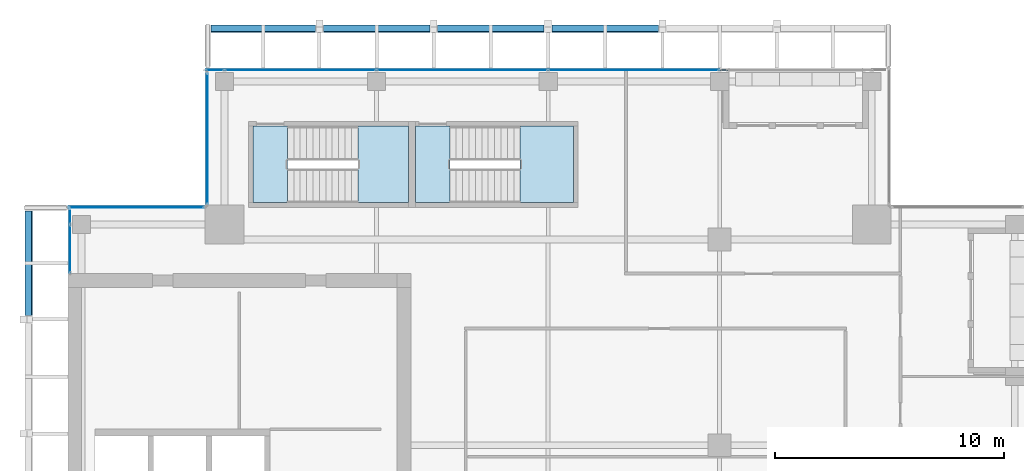
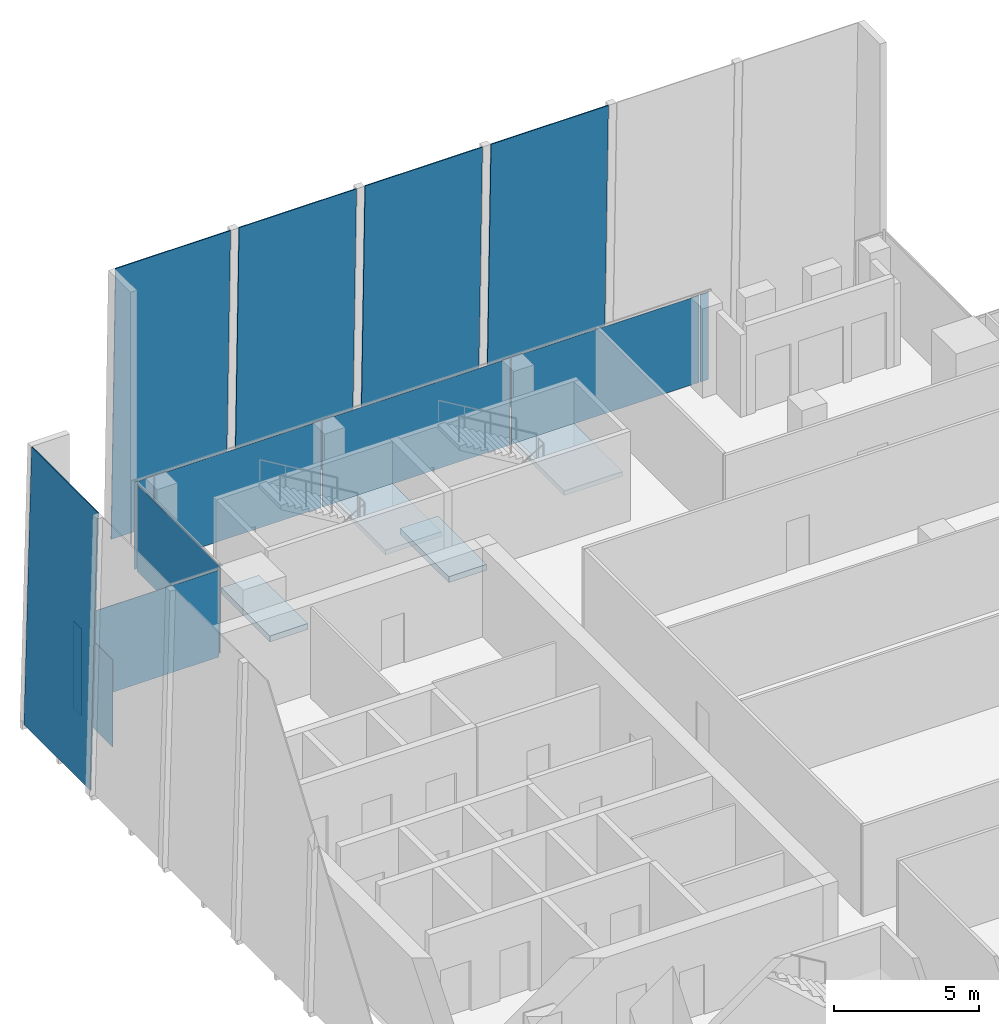
# One storey, part 24 of 32: 14 plates, 4 slabs, 6 elements without a shape of their own.
"""IFC4 building model written with IfcOpenShell, lengths in metres."""

import ifcopenshell
import ifcopenshell.guid

model = None  # the IFC model being written
_history = None  # IfcOwnerHistory: only IFC2X3 demands one
_inside = {}  # id of a spatial element -> (the spatial element, [elements in it])
_under = {}  # id of a project, library or spatial element -> (it, [spatial elements below it])
_declared = {}  # id of a project -> (the project, [libraries it declares])
_typed = {}  # id of a type object -> (the type object, [elements of that type])
_made_of = {}  # id of a material, layer set ... -> (it, [elements and type objects made of it])


def new_model(schema):
    """Start an empty IFC model of exactly this schema.

    Asked for "IFC4X3", IfcOpenShell would pick the latest addendum, in which some entities
    have other attributes; the version numbers below select the first issue.
    IFC2X3 requires an IfcOwnerHistory on every rooted entity: one is made here for all.
    """
    global model, _history
    if schema == "IFC4X3":
        model = ifcopenshell.file(schema_version=(4, 3, 0, 0))
    else:
        model = ifcopenshell.file(schema=schema)
    _inside.clear()
    _under.clear()
    _declared.clear()
    _typed.clear()
    _made_of.clear()
    _history = None
    if model.schema == "IFC2X3":
        org = make("IfcOrganization", Name="unknown")
        user = make(
            "IfcPersonAndOrganization",
            ThePerson=make("IfcPerson", FamilyName="unknown"),
            TheOrganization=org,
        )
        app = make(
            "IfcApplication",
            ApplicationDeveloper=org,
            Version="unknown",
            ApplicationFullName="unknown",
            ApplicationIdentifier="unknown",
        )
        _history = make(
            "IfcOwnerHistory",
            OwningUser=user,
            OwningApplication=app,
            ChangeAction="ADDED",
            CreationDate=0,
        )
    return model


def make(cls, **values):
    """One entity of the class cls with the attributes given. An attribute that is None is left unset."""
    return model.create_entity(
        cls, **{name: value for name, value in values.items() if value is not None}
    )


def rooted(cls, **values):
    """An entity with a GlobalId (a new one), such as an element, a storey or a relation."""
    return make(cls, GlobalId=ifcopenshell.guid.new(), OwnerHistory=_history, **values)


def si_unit(unit_type, name, prefix=None):
    """IfcSIUnit, for example si_unit("LENGTHUNIT", "METRE", prefix="MILLI")."""
    return make("IfcSIUnit", UnitType=unit_type, Prefix=prefix, Name=name)


def assignment(units):
    """IfcUnitAssignment: the units of a project."""
    return None if units is None else make("IfcUnitAssignment", Units=units)


def point(xyz):
    """IfcCartesianPoint."""
    return None if xyz is None else make("IfcCartesianPoint", Coordinates=xyz)


def direction(xyz):
    """IfcDirection."""
    return None if xyz is None else make("IfcDirection", DirectionRatios=xyz)


def frame(location, z_axis=None, x_axis=None):
    """IfcAxis2Placement3D, a coordinate frame: its origin and axes. An axis left out is left unset."""
    return make(
        "IfcAxis2Placement3D",
        Location=point(location),
        Axis=direction(z_axis),
        RefDirection=direction(x_axis),
    )


def frame_2d(location, x_axis=None):
    """IfcAxis2Placement2D, a coordinate frame in the plane: its origin and x axis."""
    return make(
        "IfcAxis2Placement2D", Location=point(location), RefDirection=direction(x_axis)
    )


def origin():
    """The frame at (0, 0, 0) with its axes left unset."""
    return frame((0.0, 0.0, 0.0))


def origin_2d():
    """The frame at (0, 0) in the plane with its x axis left unset."""
    return frame_2d((0.0, 0.0))


def place(relative_to, where):
    """IfcLocalPlacement: puts the frame where relative to a parent placement (None: the world)."""
    return make(
        "IfcLocalPlacement", PlacementRelTo=relative_to, RelativePlacement=where
    )


def context(
    kind, dimensions, precision=None, world=None, true_north=None, identifier=None
):
    """IfcGeometricRepresentationContext, for example the 3D "Model" context."""
    return make(
        "IfcGeometricRepresentationContext",
        ContextIdentifier=identifier,
        ContextType=kind,
        CoordinateSpaceDimension=dimensions,
        Precision=precision,
        WorldCoordinateSystem=world,
        TrueNorth=true_north,
    )


def subcontext(parent, identifier, kind, view, scale=None):
    """IfcGeometricRepresentationSubContext, for example "Body" below "Model"."""
    return make(
        "IfcGeometricRepresentationSubContext",
        ContextIdentifier=identifier,
        ContextType=kind,
        ParentContext=parent,
        TargetScale=scale,
        TargetView=view,
    )


def project(units=None, contexts=None):
    """IfcProject with its units and contexts."""
    return rooted(
        "IfcProject",
        Name="project",
        RepresentationContexts=contexts,
        UnitsInContext=assignment(units),
    )


def spatial(cls, under=None, at=None, **own):
    """A site, building, storey or space (cls), placed at a placement, below another one or the project."""
    s = rooted(cls, ObjectPlacement=at, **own)
    if under is not None:
        _under.setdefault(under.id(), (under, []))[1].append(s)
    return s


def polyline(points):
    """IfcPolyline through the points."""
    return make("IfcPolyline", Points=[point(p) for p in points])


def profile(cls, at=None, kind="AREA", **sizes):
    """A parametric profile (cls). Its sizes go by their IFC names, for example OverallWidth=200.0."""
    return make(cls, ProfileType=kind, Position=at, **sizes)


def rectangle(**sizes):
    """IfcRectangleProfileDef."""
    return profile("IfcRectangleProfileDef", **sizes)


def outline(outer, holes=None, kind="AREA"):
    """IfcArbitraryClosedProfileDef: a profile drawn as a closed curve; with holes, ...WithVoids."""
    if holes is None:
        return make("IfcArbitraryClosedProfileDef", ProfileType=kind, OuterCurve=outer)
    return make(
        "IfcArbitraryProfileDefWithVoids",
        ProfileType=kind,
        OuterCurve=outer,
        InnerCurves=holes,
    )


def extrude(swept, where, along, depth):
    """IfcExtrudedAreaSolid: the profile swept, set in the frame where, extruded along a direction by depth."""
    return make(
        "IfcExtrudedAreaSolid",
        SweptArea=swept,
        Position=where,
        ExtrudedDirection=direction(along),
        Depth=depth,
    )


def shape(context_of_items, identifier, shape_type, items):
    """IfcShapeRepresentation: the items that make up one representation, for example the "Body"."""
    return make(
        "IfcShapeRepresentation",
        ContextOfItems=context_of_items,
        RepresentationIdentifier=identifier,
        RepresentationType=shape_type,
        Items=items,
    )


def source(mapping_origin, context_of_items, identifier, shape_type, items):
    """IfcRepresentationMap: a shape defined once, which mapped items show again and again."""
    return make(
        "IfcRepresentationMap",
        MappingOrigin=mapping_origin,
        MappedRepresentation=shape(context_of_items, identifier, shape_type, items),
    )


def transform(
    local_origin,
    x_axis=None,
    y_axis=None,
    z_axis=None,
    scale=None,
    scale2=None,
    scale3=None,
    uniform=True,
):
    """IfcCartesianTransformationOperator3D, or its non-uniform kind. x_axis, y_axis, z_axis: its Axis1, 2, 3."""
    if uniform:
        return make(
            "IfcCartesianTransformationOperator3D",
            Axis1=direction(x_axis),
            Axis2=direction(y_axis),
            LocalOrigin=point(local_origin),
            Scale=scale,
            Axis3=direction(z_axis),
        )
    return make(
        "IfcCartesianTransformationOperator3DnonUniform",
        Axis1=direction(x_axis),
        Axis2=direction(y_axis),
        LocalOrigin=point(local_origin),
        Scale=scale,
        Axis3=direction(z_axis),
        Scale2=scale2,
        Scale3=scale3,
    )


def mapped(mapping_source, mapping_target):
    """IfcMappedItem: shows the shape of a source again, moved by a transform."""
    return make(
        "IfcMappedItem", MappingSource=mapping_source, MappingTarget=mapping_target
    )


def material(Name=None, Category=None):
    """IfcMaterial."""
    return make("IfcMaterial", Name=Name, Category=Category)


def layer(
    of_material, thickness, ventilated=None, Name=None, Category=None, Priority=None
):
    """IfcMaterialLayer: one layer of a wall or slab, of a material (None: an air gap)."""
    return make(
        "IfcMaterialLayer",
        Material=of_material,
        LayerThickness=thickness,
        IsVentilated=ventilated,
        Name=Name,
        Category=Category,
        Priority=Priority,
    )


def layer_set(layers, Name=None):
    """IfcMaterialLayerSet."""
    return make("IfcMaterialLayerSet", MaterialLayers=layers, LayerSetName=Name)


def made_of(thing, what):
    """Note that an element or type object is made of a material, layer set ...; save() writes the relation."""
    if what is not None:
        _made_of.setdefault(what.id(), (what, []))[1].append(thing)
    return thing


def type_object(cls, material=None, **own):
    """A type object (cls), such as IfcWallType, which elements share."""
    return made_of(rooted(cls, **own), material)


def element(
    cls,
    number,
    at=None,
    inside=None,
    cuts=None,
    type_object=None,
    material=None,
    context=None,
    identifier="Body",
    shape_type=None,
    held_by="IfcProductDefinitionShape",
    body=None,
    shapes=None,
    **own,
):
    """One element of the class cls, such as IfcWall. Its Tag is "e" and its number.

    at: its placement. inside: the storey or other place that contains it. cuts: it is an
    opening in that element (IfcRelVoidsElement). A single representation is given by context,
    identifier, shape_type and body (its items); several are given by shapes. held_by: the class
    of the entity that holds the representations. save() writes the other relations.
    """
    e = rooted(cls, Tag="e%d" % number, ObjectPlacement=at, **own)
    if body is not None:
        shapes = [shape(context, identifier, shape_type, body)]
    if shapes is not None:
        e.Representation = make(held_by, Representations=shapes)
    if inside is not None:
        _inside.setdefault(inside.id(), (inside, []))[1].append(e)
    if cuts is not None:
        rooted(
            "IfcRelVoidsElement", RelatingBuildingElement=cuts, RelatedOpeningElement=e
        )
    if type_object is not None:
        _typed.setdefault(type_object.id(), (type_object, []))[1].append(e)
    return made_of(e, material)


def aggregate(whole, parts):
    """IfcRelAggregates: a whole, such as a stair, and the parts it consists of."""
    return rooted("IfcRelAggregates", RelatingObject=whole, RelatedObjects=parts)


def save(model, path):
    """Write the relations noted so far, then the file.

    IfcRelAggregates (storeys below a building ...), IfcRelContainedInSpatialStructure (elements
    in a storey), IfcRelDefinesByType, IfcRelAssociatesMaterial and IfcRelDeclares: one each for
    every whole, place, type object, material and project.
    """
    for whole, parts in _under.values():
        aggregate(whole, parts)
    for where, things in _inside.values():
        rooted(
            "IfcRelContainedInSpatialStructure",
            RelatedElements=things,
            RelatingStructure=where,
        )
    for kind, things in _typed.values():
        rooted("IfcRelDefinesByType", RelatedObjects=things, RelatingType=kind)
    for what, things in _made_of.values():
        rooted("IfcRelAssociatesMaterial", RelatedObjects=things, RelatingMaterial=what)
    for by, libraries in _declared.values():
        rooted("IfcRelDeclares", RelatingContext=by, RelatedDefinitions=libraries)
    model.write(path)


model = new_model("IFC4")

# Units and contexts
model_context = context("Model", 3, precision=1e-05, world=origin(), true_north=direction((0.0, 1.0)))
body_context = subcontext(model_context, "Body", "Model", "MODEL_VIEW")
ifc_project = project(units=[si_unit("LENGTHUNIT", "METRE"), si_unit("AREAUNIT", "SQUARE_METRE"), si_unit("VOLUMEUNIT", "CUBIC_METRE"), si_unit("PLANEANGLEUNIT", "RADIAN"), si_unit("MASSUNIT", "GRAM", prefix="KILO")], contexts=[model_context])

# Site, building, storey
site_placement = place(None, origin())
site = spatial("IfcSite", under=ifc_project, at=site_placement, CompositionType="ELEMENT")
building_placement = place(site_placement, origin())
building = spatial("IfcBuilding", under=site, at=building_placement, Name="Khomas Fold Tower", CompositionType="ELEMENT")
storey_placement = place(building_placement, frame((0.0, 0.0, 306.199951171875)))
storey = spatial("IfcBuildingStorey", under=building, at=storey_placement, Name="L69", CompositionType="ELEMENT", Elevation=306.199951171875)

# Plates
ifc_material_1 = material(Name="Clear laminated glass", Category="glass")
ifc_layer_1 = layer(ifc_material_1, 0.0400390625)
ifc_layer_set_1 = layer_set([ifc_layer_1], Name="Clear laminated glass")
plate_type_1 = type_object("IfcPlateType", Name="SK-Clear laminated glass leaf", PredefinedType="SHEET", material=ifc_layer_set_1)
plate_1_placement = place(storey_placement, frame((12.27001953125, 49.879638671875, 0.0009765625), z_axis=(0.0, 0.999657783631, 0.026159427089), x_axis=(1.0, 0.0, 0.0)))
element("IfcPlate", 1, at=plate_1_placement, inside=storey, type_object=plate_type_1, Name="OUTER SKIN glass L69 N1", PredefinedType="SHEET", context=body_context, shape_type="SweptSolid", body=[
    extrude(outline(polyline([(0.0, 0.0), (4.56005859375, 0.0), (4.56005859375, -11.554002797007572), (0.0, -11.554002797007572), (0.0, 0.0)])), origin(), (0.0, 0.0, -1.0), 0.0400390625),
])
for number, where, z_axis, x_axis, name in (
    (2, (17.169921875, 49.879638671875, 0.0009765625), (0.0, 0.999657783631, 0.026159427089), (1.0, 0.0, 0.0), "OUTER SKIN glass L69 N3"),
    (3, (22.169921875, 49.879638671875, 0.0009765625), (0.0, 0.999657783631, 0.026159427089), (1.0, 0.0, 0.0), "OUTER SKIN glass L69 N5"),
    (4, (27.169921875, 49.879638671875, 0.0009765625), (0.0, 0.999657783631, 0.026159427089), (1.0, 0.0, 0.0), "OUTER SKIN glass L69 N7"),
):
    element("IfcPlate", number, at=place(storey_placement, frame(where, z_axis=z_axis, x_axis=x_axis)), inside=storey, type_object=plate_type_1, Name=name, PredefinedType="SHEET", context=body_context, shape_type="SweptSolid", body=[
        extrude(outline(polyline([(0.0, 0.0), (4.66015625, 0.0), (4.66015625, -11.554002797007573), (0.0, -11.554002797007573), (0.0, 0.0)])), origin(), (0.0, 0.0, -1.0), 0.0400390625),
    ])
plate_2_placement = place(storey_placement, frame((4.120361328125, 37.169921875, 0.0009765625), z_axis=(-0.999657783631, 0.0, 0.026159427089), x_axis=(0.0, 1.0, 0.0)))
element("IfcPlate", 5, at=plate_2_placement, inside=storey, type_object=plate_type_1, Name="OUTER SKIN glass L69 W11", PredefinedType="SHEET", context=body_context, shape_type="SweptSolid", body=[
    extrude(outline(polyline([(0.0, 0.0), (4.56005859375, 0.0), (4.56005859375, -11.554002797007572), (0.0, -11.554002797007572), (0.0, 0.0)])), origin(), (0.0, 0.0, -1.0), 0.0400390625),
])

# Curtain wall, plate
ifc_material_2 = material(Name="Aluminium framed double glazing", Category="aluminium")
curtain_wall_type = type_object("IfcCurtainWallType", Name="SK-Unitised clear-glass wall, upper floors CW3", PredefinedType="NOTDEFINED", material=ifc_material_2)
curtain_wall_1_placement = place(storey_placement, origin())
curtain_wall_1 = element("IfcCurtainWall", 6, at=curtain_wall_1_placement, inside=storey, type_object=curtain_wall_type, Name="CW3 run L69 09-0", PredefinedType="NOTDEFINED")
ifc_material_3 = material(Name="Clear double glazed unit")
ifc_layer_2 = layer(ifc_material_3, 0.028076171875)
ifc_layer_set_2 = layer_set([ifc_layer_2], Name="Clear double glazed unit")
plate_type_2 = type_object("IfcPlateType", Name="SK-Unitised clear-glass wall, upper floors glass panel CW3-P", PredefinedType="CURTAIN_PANEL", material=ifc_layer_set_2)
shared_shape_1 = source(origin(), body_context, "Body", "SweptSolid", [
    extrude(rectangle(XDim=0.574951171875, YDim=0.028076171875, at=origin_2d()), origin(), (0.0, 0.0, 1.0), 3.64990234375),
])
plate_3_placement = place(storey_placement, frame((6.10009765625, 41.46240234375, 0.0), z_axis=(0.0, 0.0, 1.0), x_axis=(0.0, -1.0, 0.0)))
plate_3 = element("IfcPlate", 7, at=plate_3_placement, type_object=plate_type_2, Name="CW3 glass panel 1", PredefinedType="CURTAIN_PANEL", context=body_context, shape_type="MappedRepresentation", body=[
    mapped(shared_shape_1, transform((0.0, 0.0, 0.0))),
])

# Curtain wall, plates
curtain_wall_2_placement = place(storey_placement, origin())
curtain_wall_2 = element("IfcCurtainWall", 8, at=curtain_wall_2_placement, inside=storey, type_object=curtain_wall_type, Name="CW3 run L69 06-1", PredefinedType="NOTDEFINED")
shared_shape_2 = source(origin(), body_context, "Body", "SweptSolid", [
    extrude(rectangle(XDim=6.60009765625, YDim=0.028076171875, at=origin_2d()), origin(), (0.0, 0.0, 1.0), 3.64990234375),
])
plate_4_placement = place(storey_placement, frame((16.175048828125, 47.89990234375, 0.0), z_axis=(0.0, 0.0, 1.0), x_axis=(-1.0, 0.0, 0.0)))
plate_4 = element("IfcPlate", 9, at=plate_4_placement, type_object=plate_type_2, Name="CW3 glass panel 4", PredefinedType="CURTAIN_PANEL", context=body_context, shape_type="MappedRepresentation", body=[
    mapped(shared_shape_2, transform((0.0, 0.0, 0.0))),
])
shared_shape_3 = source(origin(), body_context, "Body", "SweptSolid", [
    extrude(rectangle(XDim=7.449951171875, YDim=0.028076171875, at=origin_2d()), origin(), (0.0, 0.0, 1.0), 3.64990234375),
])
plate_5_placement = place(storey_placement, frame((30.75, 47.89990234375, 0.0), z_axis=(0.0, 0.0, 1.0), x_axis=(-1.0, 0.0, 0.0)))
plate_5 = element("IfcPlate", 10, at=plate_5_placement, type_object=plate_type_2, Name="CW3 glass panel 2", PredefinedType="CURTAIN_PANEL", context=body_context, shape_type="MappedRepresentation", body=[
    mapped(shared_shape_3, transform((0.0, 0.0, 0.0))),
])
plate_6_placement = place(storey_placement, frame((23.25, 47.89990234375, 0.0), z_axis=(0.0, 0.0, 1.0), x_axis=(-1.0, 0.0, 0.0)))
plate_6 = element("IfcPlate", 11, at=plate_6_placement, type_object=plate_type_2, Name="CW3 glass panel 3", PredefinedType="CURTAIN_PANEL", context=body_context, shape_type="MappedRepresentation", body=[
    mapped(shared_shape_3, transform((0.0, 0.0, 0.0))),
])
shared_shape_4 = source(origin(), body_context, "Body", "SweptSolid", [
    extrude(rectangle(XDim=0.77490234375, YDim=0.028076171875, at=origin_2d()), origin(), (0.0, 0.0, 1.0), 3.64990234375),
])
plate_7_placement = place(storey_placement, frame((12.4375, 47.89990234375, 0.0), z_axis=(0.0, 0.0, 1.0), x_axis=(-1.0, 0.0, 0.0)))
plate_7 = element("IfcPlate", 12, at=plate_7_placement, type_object=plate_type_2, Name="CW3 glass panel 5", PredefinedType="CURTAIN_PANEL", context=body_context, shape_type="MappedRepresentation", body=[
    mapped(shared_shape_4, transform((0.0, 0.0, 0.0))),
])

# Curtain wall, plate
curtain_wall_3_placement = place(storey_placement, origin())
curtain_wall_3 = element("IfcCurtainWall", 13, at=curtain_wall_3_placement, inside=storey, type_object=curtain_wall_type, Name="CW3 corner return L69 07", PredefinedType="NOTDEFINED")
shared_shape_5 = source(origin(), body_context, "Body", "SweptSolid", [
    extrude(rectangle(XDim=5.699951171875, YDim=0.028076171875, at=origin_2d()), origin(), (0.0, 0.0, 1.0), 3.64990234375),
])
plate_8_placement = place(storey_placement, frame((12.10009765625, 44.89990234375, 0.0), z_axis=(0.0, 0.0, 1.0), x_axis=(0.0, -1.0, 0.0)))
plate_8 = element("IfcPlate", 14, at=plate_8_placement, type_object=plate_type_2, Name="CW3 glass panel 1", PredefinedType="CURTAIN_PANEL", context=body_context, shape_type="MappedRepresentation", body=[
    mapped(shared_shape_5, transform((0.0, 0.0, 0.0))),
])
aggregate(curtain_wall_3, [plate_8])

curtain_wall_4_placement = place(storey_placement, origin())
curtain_wall_4 = element("IfcCurtainWall", 15, at=curtain_wall_4_placement, inside=storey, type_object=curtain_wall_type, Name="CW3 corner return L69 08", PredefinedType="NOTDEFINED")
shared_shape_6 = source(origin(), body_context, "Body", "SweptSolid", [
    extrude(rectangle(XDim=5.89990234375, YDim=0.028076171875, at=origin_2d()), origin(), (0.0, 0.0, 1.0), 3.64990234375),
])
plate_9_placement = place(storey_placement, frame((9.0, 41.89990234375, 0.0), z_axis=(0.0, 0.0, 1.0), x_axis=(-1.0, 0.0, 0.0)))
plate_9 = element("IfcPlate", 16, at=plate_9_placement, type_object=plate_type_2, Name="CW3 glass panel 1", PredefinedType="CURTAIN_PANEL", context=body_context, shape_type="MappedRepresentation", body=[
    mapped(shared_shape_6, transform((0.0, 0.0, 0.0))),
])
aggregate(curtain_wall_4, [plate_9])

# Plate
shared_shape_7 = source(origin(), body_context, "Body", "SweptSolid", [
    extrude(rectangle(XDim=0.324951171875, YDim=0.028076171875, at=origin_2d()), origin(), (0.0, 0.0, 1.0), 3.64990234375),
])
plate_10_placement = place(storey_placement, frame((34.6875, 47.89990234375, 0.0), z_axis=(0.0, 0.0, 1.0), x_axis=(-1.0, 0.0, 0.0)))
plate_10 = element("IfcPlate", 17, at=plate_10_placement, type_object=plate_type_2, Name="CW3 glass panel 1", PredefinedType="CURTAIN_PANEL", context=body_context, shape_type="MappedRepresentation", body=[
    mapped(shared_shape_7, transform((0.0, 0.0, 0.0))),
])

aggregate(curtain_wall_2, [plate_10, plate_5, plate_6, plate_4, plate_7])

shared_shape_8 = source(origin(), body_context, "Body", "SweptSolid", [
    extrude(rectangle(XDim=2.074951171875, YDim=0.028076171875, at=origin_2d()), origin(), (0.0, 0.0, 1.0), 3.64990234375),
])
plate_11_placement = place(storey_placement, frame((6.10009765625, 40.08740234375, 0.0), z_axis=(0.0, 0.0, 1.0), x_axis=(0.0, -1.0, 0.0)))
plate_11 = element("IfcPlate", 18, at=plate_11_placement, type_object=plate_type_2, Name="CW3 glass panel 2", PredefinedType="CURTAIN_PANEL", context=body_context, shape_type="MappedRepresentation", body=[
    mapped(shared_shape_8, transform((0.0, 0.0, 0.0))),
])

aggregate(curtain_wall_1, [plate_3, plate_11])

# Stair, slab
ifc_material_4 = material(Name="Concrete C40/50", Category="concrete")
stair_type_1 = type_object("IfcStairType", Name="Stair ST1", PredefinedType="HALF_TURN_STAIR", material=ifc_material_4)
stair_1_placement = place(storey_placement, origin())
stair_1 = element("IfcStair", 19, at=stair_1_placement, inside=storey, type_object=stair_type_1, Name="L69 ST1", PredefinedType="HALF_TURN_STAIR")
ifc_material_5 = material(Name="Concrete C40/50", Category="concrete")
ifc_layer_3 = layer(ifc_material_5, 0.199951171875)
ifc_layer_set_3 = layer_set([ifc_layer_3], Name="Concrete C40/50")
slab_type_1 = type_object("IfcSlabType", Name="Stair landing 200", PredefinedType="LANDING", material=ifc_layer_set_3)
shared_shape_9 = source(origin(), body_context, "Body", "SweptSolid", [
    extrude(outline(polyline([(18.679931640625, 42.10009765625), (20.89990234375, 42.10009765625), (20.89990234375, 45.449951171875), (18.679931640625, 45.449951171875), (18.679931640625, 42.10009765625)])), origin(), (0.0, 0.0, 1.0), 0.199951171875),
])
slab_1_placement = place(storey_placement, frame((0.0, 0.0, 1.800048828125)))
slab_1 = element("IfcSlab", 20, at=slab_1_placement, type_object=slab_type_1, Name="ST1 landing 1", PredefinedType="LANDING", context=body_context, shape_type="MappedRepresentation", body=[
    mapped(shared_shape_9, transform((0.0, 0.0, 0.0))),
])
aggregate(stair_1, [slab_1])

# Slab
ifc_material_6 = material(Name="Concrete C40/50", Category="concrete")
ifc_layer_4 = layer(ifc_material_6, 0.25)
ifc_layer_set_4 = layer_set([ifc_layer_4], Name="Concrete C40/50")
slab_type_2 = type_object("IfcSlabType", Name="Stair floor landing 250", PredefinedType="LANDING", material=ifc_layer_set_4)
shared_shape_10 = source(origin(), body_context, "Body", "SweptSolid", [
    extrude(outline(polyline([(15.60009765625, 42.10009765625), (14.10009765625, 42.10009765625), (14.10009765625, 45.449951171875), (15.60009765625, 45.449951171875), (15.60009765625, 42.10009765625)])), origin(), (0.0, 0.0, 1.0), 0.25),
])
slab_2_placement = place(storey_placement, frame((0.0, 0.0, -0.25)))
element("IfcSlab", 21, at=slab_2_placement, inside=storey, type_object=slab_type_2, Name="ST1 floor landing", PredefinedType="LANDING", context=body_context, shape_type="MappedRepresentation", body=[
    mapped(shared_shape_10, transform((0.0, 0.0, 0.0))),
])

# Stair, slab
ifc_material_7 = material(Name="Concrete C40/50", Category="concrete")
stair_type_2 = type_object("IfcStairType", Name="Stair ST3", PredefinedType="HALF_TURN_STAIR", material=ifc_material_7)
stair_2_placement = place(storey_placement, origin())
stair_2 = element("IfcStair", 22, at=stair_2_placement, inside=storey, type_object=stair_type_2, Name="L69 ST3", PredefinedType="HALF_TURN_STAIR")
shared_shape_11 = source(origin(), body_context, "Body", "SweptSolid", [
    extrude(outline(polyline([(25.780029296875, 42.10009765625), (28.10009765625, 42.10009765625), (28.10009765625, 45.449951171875), (25.780029296875, 45.449951171875), (25.780029296875, 42.10009765625)])), origin(), (0.0, 0.0, 1.0), 0.199951171875),
])
slab_3_placement = place(storey_placement, frame((0.0, 0.0, 1.800048828125)))
slab_3 = element("IfcSlab", 23, at=slab_3_placement, type_object=slab_type_1, Name="ST3 landing 1", PredefinedType="LANDING", context=body_context, shape_type="MappedRepresentation", body=[
    mapped(shared_shape_11, transform((0.0, 0.0, 0.0))),
])
aggregate(stair_2, [slab_3])

# Slab
shared_shape_12 = source(origin(), body_context, "Body", "SweptSolid", [
    extrude(outline(polyline([(22.699951171875, 42.10009765625), (21.199951171875, 42.10009765625), (21.199951171875, 45.449951171875), (22.699951171875, 45.449951171875), (22.699951171875, 42.10009765625)])), origin(), (0.0, 0.0, 1.0), 0.25),
])
slab_4_placement = place(storey_placement, frame((0.0, 0.0, -0.25)))
element("IfcSlab", 24, at=slab_4_placement, inside=storey, type_object=slab_type_2, Name="ST3 floor landing", PredefinedType="LANDING", context=body_context, shape_type="MappedRepresentation", body=[
    mapped(shared_shape_12, transform((0.0, 0.0, 0.0))),
])

save(model, "model.ifc")
